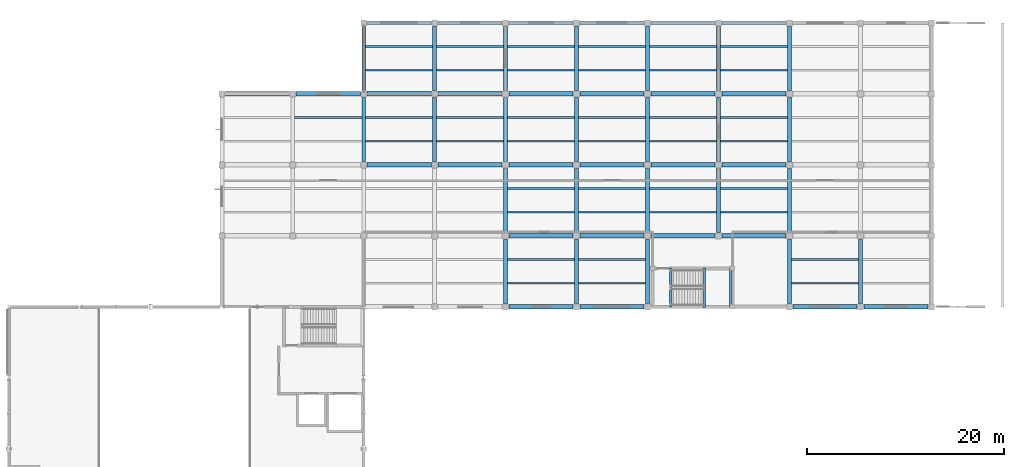
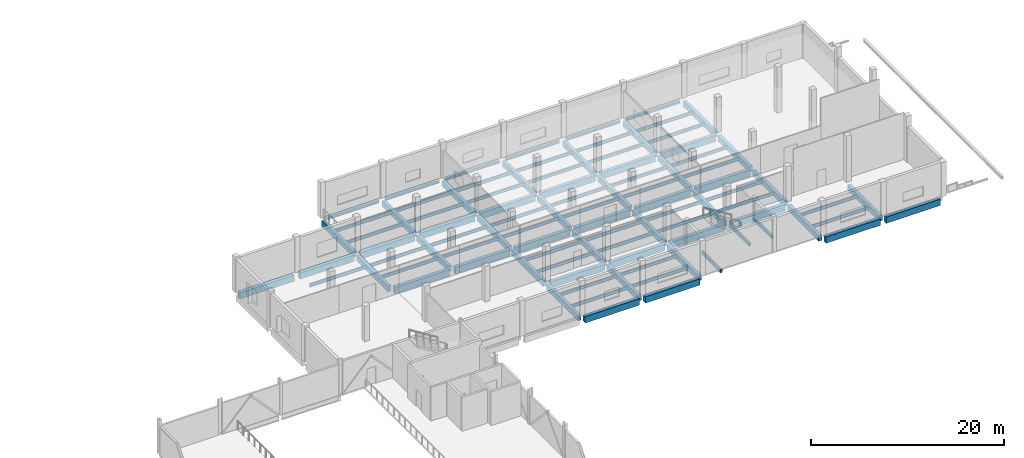
# One storey, part 41 of 105: 94 beams.
"""IFC4 building model written with IfcOpenShell, lengths in metres."""

from ifc_helpers import new_model, si_unit, direction, frame, origin, origin_2d, place, context, subcontext, project, spatial, rectangle, i_section, extrude, material, material_profile, profile_set, type_object, element, save


model = new_model("IFC4")

# Units and contexts
model_context = context("Model", 3, precision=1e-05, world=origin(), true_north=direction((0.0, 1.0)))
body_context = subcontext(model_context, "Body", "Model", "MODEL_VIEW")
ifc_project = project(units=[si_unit("LENGTHUNIT", "METRE"), si_unit("AREAUNIT", "SQUARE_METRE"), si_unit("VOLUMEUNIT", "CUBIC_METRE"), si_unit("PLANEANGLEUNIT", "RADIAN"), si_unit("MASSUNIT", "GRAM", prefix="KILO"), si_unit("THERMODYNAMICTEMPERATUREUNIT", "KELVIN"), si_unit("POWERUNIT", "WATT")], contexts=[model_context])

# Site, building, storey
site_placement = place(None, origin())
site = spatial("IfcSite", under=ifc_project, at=site_placement, CompositionType="ELEMENT")
building_placement = place(site_placement, origin())
building = spatial("IfcBuilding", under=site, at=building_placement, Name="Kaldorven Railside Theatre", CompositionType="ELEMENT")
storey_placement = place(building_placement, frame((0.0, 0.0, 9.89990234375)))
storey = spatial("IfcBuildingStorey", under=building, at=storey_placement, Name="L02", CompositionType="ELEMENT", Elevation=9.89990234375)

# Beams
ifc_material_1 = material(Name="Steel S355", Category="steel")
ifc_material_profile_1 = material_profile(ifc_material_1, i_section(OverallWidth=0.300048828125, OverallDepth=0.340087890625, WebThickness=0.011962890625, FlangeThickness=0.021484375, at=origin_2d()), Name="HEB 340")
ifc_profile_set_1 = profile_set([ifc_material_profile_1], Name="Steel S355")
beam_type_1 = type_object("IfcBeamType", Name="BM-HEB340", PredefinedType="SPANDREL", material=ifc_profile_set_1)
for number, where, z_axis, x_axis, name in (
    (1, (123.550048828125, 141.60009765625, -0.449951171875), (1.0, 0.0, 0.0), (0.0, 1.0, 0.0), "L02 Girder BGX-L02-123-141"),
    (2, (130.75, 141.60009765625, -0.449951171875), (1.0, 0.0, 0.0), (0.0, 1.0, 0.0), "L02 Girder BGX-L02-130-141"),
    (3, (137.949951171875, 141.60009765625, -0.449951171875), (1.0, 0.0, 0.0), (0.0, 1.0, 0.0), "L02 Girder BGX-L02-137-141"),
    (4, (145.14990234375, 141.60009765625, -0.449951171875), (1.0, 0.0, 0.0), (0.0, 1.0, 0.0), "L02 Girder BGX-L02-144-141"),
    (5, (152.35009765625, 141.60009765625, -0.449951171875), (1.0, 0.0, 0.0), (0.0, 1.0, 0.0), "L02 Girder BGX-L02-152-141"),
    (6, (159.550048828125, 141.60009765625, -0.449951171875), (1.0, 0.0, 0.0), (0.0, 1.0, 0.0), "L02 Girder BGX-L02-159-141"),
):
    element("IfcBeam", number, at=place(storey_placement, frame(where, z_axis=z_axis, x_axis=x_axis)), inside=storey, type_object=beam_type_1, Name=name, PredefinedType="SPANDREL", context=body_context, shape_type="SweptSolid", body=[
        extrude(i_section(OverallWidth=0.300048828125, OverallDepth=0.340087890625, WebThickness=0.011962890625, FlangeThickness=0.021484375, at=origin_2d()), origin(), (0.0, 0.0, 1.0), 6.5),
    ])
ifc_material_profile_2 = material_profile(ifc_material_1, i_section(OverallWidth=0.179931640625, OverallDepth=0.39990234375, WebThickness=0.008544921875, FlangeThickness=0.013427734375, at=origin_2d()), Name="IPE 400")
ifc_profile_set_2 = profile_set([ifc_material_profile_2], Name="Steel S355")
beam_type_2 = type_object("IfcBeamType", Name="BM-IPE400", PredefinedType="JOIST", material=ifc_profile_set_2)
for number, where, z_axis, x_axis, name in (
    (7, (137.800048828125, 115.199951171875, -0.47998046875), (1.0, 0.0, 0.0), (0.0, 1.0, 0.0), "L02 Secondary Floor Joist JG-L02-137-1152"),
    (8, (137.800048828125, 117.60009765625, -0.47998046875), (1.0, 0.0, 0.0), (0.0, 1.0, 0.0), "L02 Secondary Floor Joist JG-L02-137-1176"),
    (9, (145.0, 115.199951171875, -0.47998046875), (1.0, 0.0, 0.0), (0.0, 1.0, 0.0), "L02 Secondary Floor Joist JG-L02-144-1152"),
    (10, (145.0, 117.60009765625, -0.47998046875), (1.0, 0.0, 0.0), (0.0, 1.0, 0.0), "L02 Secondary Floor Joist JG-L02-144-1176"),
):
    element("IfcBeam", number, at=place(storey_placement, frame(where, z_axis=z_axis, x_axis=x_axis)), inside=storey, type_object=beam_type_2, Name=name, PredefinedType="JOIST", context=body_context, shape_type="SweptSolid", body=[
        extrude(i_section(OverallWidth=0.179931640625, OverallDepth=0.39990234375, WebThickness=0.008544921875, FlangeThickness=0.013427734375, at=origin_2d()), origin(), (0.0, 0.0, 1.0), 6.800048828125),
    ])
for number, where, z_axis, x_axis, name in (
    (11, (166.60009765625, 115.199951171875, -0.47998046875), (1.0, 0.0, 0.0), (0.0, 1.0, 0.0), "L02 Secondary Floor Joist JG-L02-166-1152"),
    (12, (166.60009765625, 117.60009765625, -0.47998046875), (1.0, 0.0, 0.0), (0.0, 1.0, 0.0), "L02 Secondary Floor Joist JG-L02-166-1176"),
):
    element("IfcBeam", number, at=place(storey_placement, frame(where, z_axis=z_axis, x_axis=x_axis)), inside=storey, type_object=beam_type_2, Name=name, PredefinedType="JOIST", context=body_context, shape_type="SweptSolid", body=[
        extrude(i_section(OverallWidth=0.179931640625, OverallDepth=0.39990234375, WebThickness=0.008544921875, FlangeThickness=0.013427734375, at=origin_2d()), origin(), (0.0, 0.0, 1.0), 6.7998046875),
    ])
for number, where, z_axis, x_axis, name in (
    (13, (137.800048828125, 122.39990234375, -0.47998046875), (1.0, 0.0, 0.0), (0.0, 1.0, 0.0), "L02 Secondary Floor Joist JG-L02-137-1224"),
    (14, (137.800048828125, 124.800048828125, -0.47998046875), (1.0, 0.0, 0.0), (0.0, 1.0, 0.0), "L02 Secondary Floor Joist JG-L02-137-1248"),
    (15, (145.0, 122.39990234375, -0.47998046875), (1.0, 0.0, 0.0), (0.0, 1.0, 0.0), "L02 Secondary Floor Joist JG-L02-144-1224"),
    (16, (145.0, 124.800048828125, -0.47998046875), (1.0, 0.0, 0.0), (0.0, 1.0, 0.0), "L02 Secondary Floor Joist JG-L02-144-1248"),
    (17, (152.199951171875, 122.39990234375, -0.47998046875), (1.0, 0.0, 0.0), (0.0, 1.0, 0.0), "L02 Secondary Floor Joist JG-L02-152-1224"),
    (18, (152.199951171875, 124.800048828125, -0.47998046875), (1.0, 0.0, 0.0), (0.0, 1.0, 0.0), "L02 Secondary Floor Joist JG-L02-152-1248"),
    (19, (159.39990234375, 122.39990234375, -0.47998046875), (1.0, 0.0, 0.0), (0.0, 1.0, 0.0), "L02 Secondary Floor Joist JG-L02-159-1224"),
    (20, (159.39990234375, 124.800048828125, -0.47998046875), (1.0, 0.0, 0.0), (0.0, 1.0, 0.0), "L02 Secondary Floor Joist JG-L02-159-1248"),
    (21, (116.199951171875, 132.0, -0.47998046875), (1.0, 0.0, 0.0), (0.0, 1.0, 0.0), "L02 Secondary Floor Joist JG-L02-116-1320"),
    (22, (123.39990234375, 129.60009765625, -0.47998046875), (1.0, 0.0, 0.0), (0.0, 1.0, 0.0), "L02 Secondary Floor Joist JG-L02-123-1296"),
    (23, (123.39990234375, 132.0, -0.47998046875), (1.0, 0.0, 0.0), (0.0, 1.0, 0.0), "L02 Secondary Floor Joist JG-L02-123-1320"),
):
    element("IfcBeam", number, at=place(storey_placement, frame(where, z_axis=z_axis, x_axis=x_axis)), inside=storey, type_object=beam_type_2, Name=name, PredefinedType="JOIST", context=body_context, shape_type="SweptSolid", body=[
        extrude(i_section(OverallWidth=0.179931640625, OverallDepth=0.39990234375, WebThickness=0.008544921875, FlangeThickness=0.013427734375, at=origin_2d()), origin(), (0.0, 0.0, 1.0), 6.800048828125),
    ])
for number, where, z_axis, x_axis, name in (
    (24, (130.60009765625, 129.60009765625, -0.47998046875), (1.0, 0.0, 0.0), (0.0, 1.0, 0.0), "L02 Secondary Floor Joist JG-L02-130-1296"),
    (25, (130.60009765625, 132.0, -0.47998046875), (1.0, 0.0, 0.0), (0.0, 1.0, 0.0), "L02 Secondary Floor Joist JG-L02-130-1320"),
):
    element("IfcBeam", number, at=place(storey_placement, frame(where, z_axis=z_axis, x_axis=x_axis)), inside=storey, type_object=beam_type_2, Name=name, PredefinedType="JOIST", context=body_context, shape_type="SweptSolid", body=[
        extrude(i_section(OverallWidth=0.179931640625, OverallDepth=0.39990234375, WebThickness=0.008544921875, FlangeThickness=0.013427734375, at=origin_2d()), origin(), (0.0, 0.0, 1.0), 6.7998046875),
    ])
for number, where, z_axis, x_axis, name in (
    (26, (137.800048828125, 129.60009765625, -0.47998046875), (1.0, 0.0, 0.0), (0.0, 1.0, 0.0), "L02 Secondary Floor Joist JG-L02-137-1296"),
    (27, (137.800048828125, 132.0, -0.47998046875), (1.0, 0.0, 0.0), (0.0, 1.0, 0.0), "L02 Secondary Floor Joist JG-L02-137-1320"),
    (28, (145.0, 129.60009765625, -0.47998046875), (1.0, 0.0, 0.0), (0.0, 1.0, 0.0), "L02 Secondary Floor Joist JG-L02-144-1296"),
    (29, (145.0, 132.0, -0.47998046875), (1.0, 0.0, 0.0), (0.0, 1.0, 0.0), "L02 Secondary Floor Joist JG-L02-144-1320"),
    (30, (152.199951171875, 129.60009765625, -0.47998046875), (1.0, 0.0, 0.0), (0.0, 1.0, 0.0), "L02 Secondary Floor Joist JG-L02-152-1296"),
    (31, (152.199951171875, 132.0, -0.47998046875), (1.0, 0.0, 0.0), (0.0, 1.0, 0.0), "L02 Secondary Floor Joist JG-L02-152-1320"),
    (32, (159.39990234375, 129.60009765625, -0.47998046875), (1.0, 0.0, 0.0), (0.0, 1.0, 0.0), "L02 Secondary Floor Joist JG-L02-159-1296"),
    (33, (159.39990234375, 132.0, -0.47998046875), (1.0, 0.0, 0.0), (0.0, 1.0, 0.0), "L02 Secondary Floor Joist JG-L02-159-1320"),
    (34, (123.39990234375, 136.800048828125, -0.47998046875), (1.0, 0.0, 0.0), (0.0, 1.0, 0.0), "L02 Secondary Floor Joist JG-L02-123-1368"),
    (35, (123.39990234375, 139.199951171875, -0.47998046875), (1.0, 0.0, 0.0), (0.0, 1.0, 0.0), "L02 Secondary Floor Joist JG-L02-123-1392"),
):
    element("IfcBeam", number, at=place(storey_placement, frame(where, z_axis=z_axis, x_axis=x_axis)), inside=storey, type_object=beam_type_2, Name=name, PredefinedType="JOIST", context=body_context, shape_type="SweptSolid", body=[
        extrude(i_section(OverallWidth=0.179931640625, OverallDepth=0.39990234375, WebThickness=0.008544921875, FlangeThickness=0.013427734375, at=origin_2d()), origin(), (0.0, 0.0, 1.0), 6.800048828125),
    ])
for number, where, z_axis, x_axis, name in (
    (36, (130.60009765625, 136.800048828125, -0.47998046875), (1.0, 0.0, 0.0), (0.0, 1.0, 0.0), "L02 Secondary Floor Joist JG-L02-130-1368"),
    (37, (130.60009765625, 139.199951171875, -0.47998046875), (1.0, 0.0, 0.0), (0.0, 1.0, 0.0), "L02 Secondary Floor Joist JG-L02-130-1392"),
):
    element("IfcBeam", number, at=place(storey_placement, frame(where, z_axis=z_axis, x_axis=x_axis)), inside=storey, type_object=beam_type_2, Name=name, PredefinedType="JOIST", context=body_context, shape_type="SweptSolid", body=[
        extrude(i_section(OverallWidth=0.179931640625, OverallDepth=0.39990234375, WebThickness=0.008544921875, FlangeThickness=0.013427734375, at=origin_2d()), origin(), (0.0, 0.0, 1.0), 6.7998046875),
    ])
for number, where, z_axis, x_axis, name in (
    (38, (137.800048828125, 136.800048828125, -0.47998046875), (1.0, 0.0, 0.0), (0.0, 1.0, 0.0), "L02 Secondary Floor Joist JG-L02-137-1368"),
    (39, (137.800048828125, 139.199951171875, -0.47998046875), (1.0, 0.0, 0.0), (0.0, 1.0, 0.0), "L02 Secondary Floor Joist JG-L02-137-1392"),
    (40, (145.0, 136.800048828125, -0.47998046875), (1.0, 0.0, 0.0), (0.0, 1.0, 0.0), "L02 Secondary Floor Joist JG-L02-144-1368"),
    (41, (145.0, 139.199951171875, -0.47998046875), (1.0, 0.0, 0.0), (0.0, 1.0, 0.0), "L02 Secondary Floor Joist JG-L02-144-1392"),
    (42, (152.199951171875, 136.800048828125, -0.47998046875), (1.0, 0.0, 0.0), (0.0, 1.0, 0.0), "L02 Secondary Floor Joist JG-L02-152-1368"),
    (43, (152.199951171875, 139.199951171875, -0.47998046875), (1.0, 0.0, 0.0), (0.0, 1.0, 0.0), "L02 Secondary Floor Joist JG-L02-152-1392"),
    (44, (159.39990234375, 136.800048828125, -0.47998046875), (1.0, 0.0, 0.0), (0.0, 1.0, 0.0), "L02 Secondary Floor Joist JG-L02-159-1368"),
    (45, (159.39990234375, 139.199951171875, -0.47998046875), (1.0, 0.0, 0.0), (0.0, 1.0, 0.0), "L02 Secondary Floor Joist JG-L02-159-1392"),
):
    element("IfcBeam", number, at=place(storey_placement, frame(where, z_axis=z_axis, x_axis=x_axis)), inside=storey, type_object=beam_type_2, Name=name, PredefinedType="JOIST", context=body_context, shape_type="SweptSolid", body=[
        extrude(i_section(OverallWidth=0.179931640625, OverallDepth=0.39990234375, WebThickness=0.008544921875, FlangeThickness=0.013427734375, at=origin_2d()), origin(), (0.0, 0.0, 1.0), 6.800048828125),
    ])
ifc_material_2 = material(Name="Concrete C40/50", Category="concrete")
ifc_material_profile_3 = material_profile(ifc_material_2, rectangle(XDim=0.25, YDim=0.39990234375, at=origin_2d()), Name="RC 250x400")
ifc_profile_set_3 = profile_set([ifc_material_profile_3], Name="Concrete C40/50")
beam_type_3 = type_object("IfcBeamType", Name="BM-RC250x400", PredefinedType="LINTEL", material=ifc_profile_set_3)
beam_placement = place(storey_placement, frame((154.35009765625, 112.77001953125, -0.344970703125), z_axis=(0.0, 1.0, 0.0), x_axis=(-1.0, 0.0, 0.0)))
element("IfcBeam", 46, at=beam_placement, inside=storey, type_object=beam_type_3, Name="Stair ST-08 L02 Landing Trimmer Beam", PredefinedType="LINTEL", context=body_context, shape_type="SweptSolid", body=[
    extrude(rectangle(XDim=0.25, YDim=0.39990234375, at=origin_2d()), origin(), (0.0, 0.0, 1.0), 3.9599609375),
])
for number, where, z_axis, x_axis, name in (
    (47, (157.735107421875, 112.739990234375, 1.85009765625), (0.0, 1.0, 0.0), (-1.0, 0.0, 0.0), "Stair ST-08 L02 Half-Landing Bearer"),
    (48, (160.429931640625, 112.739990234375, 1.85009765625), (0.0, 1.0, 0.0), (-1.0, 0.0, 0.0), "Stair ST-08 L02 Half-Landing Bearer"),
):
    element("IfcBeam", number, at=place(storey_placement, frame(where, z_axis=z_axis, x_axis=x_axis)), inside=storey, type_object=beam_type_3, Name=name, PredefinedType="LINTEL", context=body_context, shape_type="SweptSolid", body=[
        extrude(rectangle(XDim=0.25, YDim=0.39990234375, at=origin_2d()), origin(), (0.0, 0.0, 1.0), 4.02001953125),
    ])
ifc_material_profile_4 = material_profile(ifc_material_2, rectangle(XDim=0.39990234375, YDim=0.699951171875, at=origin_2d()), Name="RC 400x700")
ifc_profile_set_4 = profile_set([ifc_material_profile_4], Name="Concrete C40/50")
beam_type_4 = type_object("IfcBeamType", Name="BM-RC400x700", PredefinedType="BEAM", material=ifc_profile_set_4)
for number, where, z_axis, x_axis, name in (
    (49, (137.60009765625, 113.14990234375, -0.6298828125), (0.0, 1.0, 0.0), (-1.0, 0.0, 0.0), "L02 Girder BGY-L02-137-112-72"),
    (50, (144.800048828125, 113.14990234375, -0.6298828125), (0.0, 1.0, 0.0), (-1.0, 0.0, 0.0), "L02 Girder BGY-L02-144-112-72"),
    (51, (152.0, 113.14990234375, -0.6298828125), (0.0, 1.0, 0.0), (-1.0, 0.0, 0.0), "L02 Girder BGY-L02-152-112-72"),
    (52, (166.39990234375, 113.14990234375, -0.6298828125), (0.0, 1.0, 0.0), (-1.0, 0.0, 0.0), "L02 Girder BGY-L02-166-112-72"),
    (53, (173.60009765625, 113.14990234375, -0.6298828125), (0.0, 1.0, 0.0), (-1.0, 0.0, 0.0), "L02 Girder BGY-L02-173-112-72"),
    (54, (137.60009765625, 120.35009765625, -0.6298828125), (0.0, 1.0, 0.0), (-1.0, 0.0, 0.0), "L02 Girder BGY-L02-137-120-72"),
    (55, (144.800048828125, 120.35009765625, -0.6298828125), (0.0, 1.0, 0.0), (-1.0, 0.0, 0.0), "L02 Girder BGY-L02-144-120-72"),
    (56, (152.0, 120.35009765625, -0.6298828125), (0.0, 1.0, 0.0), (-1.0, 0.0, 0.0), "L02 Girder BGY-L02-152-120-72"),
    (57, (159.199951171875, 120.35009765625, -0.6298828125), (0.0, 1.0, 0.0), (-1.0, 0.0, 0.0), "L02 Girder BGY-L02-159-120-72"),
    (58, (166.39990234375, 120.35009765625, -0.6298828125), (0.0, 1.0, 0.0), (-1.0, 0.0, 0.0), "L02 Girder BGY-L02-166-120-72"),
    (59, (123.199951171875, 127.550048828125, -0.6298828125), (0.0, 1.0, 0.0), (-1.0, 0.0, 0.0), "L02 Girder BGY-L02-123-127-72"),
    (60, (130.39990234375, 127.550048828125, -0.6298828125), (0.0, 1.0, 0.0), (-1.0, 0.0, 0.0), "L02 Girder BGY-L02-130-127-72"),
    (61, (137.60009765625, 127.550048828125, -0.6298828125), (0.0, 1.0, 0.0), (-1.0, 0.0, 0.0), "L02 Girder BGY-L02-137-127-72"),
    (62, (144.800048828125, 127.550048828125, -0.6298828125), (0.0, 1.0, 0.0), (-1.0, 0.0, 0.0), "L02 Girder BGY-L02-144-127-72"),
    (63, (152.0, 127.550048828125, -0.6298828125), (0.0, 1.0, 0.0), (-1.0, 0.0, 0.0), "L02 Girder BGY-L02-152-127-72"),
    (64, (159.199951171875, 127.550048828125, -0.6298828125), (0.0, 1.0, 0.0), (-1.0, 0.0, 0.0), "L02 Girder BGY-L02-159-127-72"),
    (65, (166.39990234375, 127.550048828125, -0.6298828125), (0.0, 1.0, 0.0), (-1.0, 0.0, 0.0), "L02 Girder BGY-L02-166-127-72"),
    (66, (123.199951171875, 134.75, -0.6298828125), (0.0, 1.0, 0.0), (-1.0, 0.0, 0.0), "L02 Girder BGY-L02-123-134-72"),
    (67, (130.39990234375, 134.75, -0.6298828125), (0.0, 1.0, 0.0), (-1.0, 0.0, 0.0), "L02 Girder BGY-L02-130-134-72"),
    (68, (137.60009765625, 134.75, -0.6298828125), (0.0, 1.0, 0.0), (-1.0, 0.0, 0.0), "L02 Girder BGY-L02-137-134-72"),
    (69, (144.800048828125, 134.75, -0.6298828125), (0.0, 1.0, 0.0), (-1.0, 0.0, 0.0), "L02 Girder BGY-L02-144-134-72"),
    (70, (152.0, 134.75, -0.6298828125), (0.0, 1.0, 0.0), (-1.0, 0.0, 0.0), "L02 Girder BGY-L02-152-134-72"),
    (71, (159.199951171875, 134.75, -0.6298828125), (0.0, 1.0, 0.0), (-1.0, 0.0, 0.0), "L02 Girder BGY-L02-159-134-72"),
    (72, (166.39990234375, 134.75, -0.6298828125), (0.0, 1.0, 0.0), (-1.0, 0.0, 0.0), "L02 Girder BGY-L02-166-134-72"),
):
    element("IfcBeam", number, at=place(storey_placement, frame(where, z_axis=z_axis, x_axis=x_axis)), inside=storey, type_object=beam_type_4, Name=name, PredefinedType="BEAM", context=body_context, shape_type="SweptSolid", body=[
        extrude(rectangle(XDim=0.39990234375, YDim=0.699951171875, at=origin_2d()), origin(), (0.0, 0.0, 1.0), 6.5),
    ])
ifc_material_profile_5 = material_profile(ifc_material_2, rectangle(XDim=0.449951171875, YDim=0.800048828125, at=origin_2d()), Name="RC 450x800")
ifc_profile_set_5 = profile_set([ifc_material_profile_5], Name="Concrete C40/50")
beam_type_5 = type_object("IfcBeamType", Name="BM-RC450x800", PredefinedType="BEAM", material=ifc_profile_set_5)
for number, where, z_axis, x_axis, name in (
    (73, (137.949951171875, 112.800048828125, -0.679931640625), (1.0, 0.0, 0.0), (0.0, 1.0, 0.0), "L02 Girder BGX-L02-137-112"),
    (74, (145.14990234375, 112.800048828125, -0.679931640625), (1.0, 0.0, 0.0), (0.0, 1.0, 0.0), "L02 Girder BGX-L02-144-112"),
    (75, (166.75, 112.800048828125, -0.679931640625), (1.0, 0.0, 0.0), (0.0, 1.0, 0.0), "L02 Girder BGX-L02-166-112"),
    (76, (173.949951171875, 112.800048828125, -0.679931640625), (1.0, 0.0, 0.0), (0.0, 1.0, 0.0), "L02 Girder BGX-L02-173-112"),
    (77, (137.949951171875, 120.0, -0.679931640625), (1.0, 0.0, 0.0), (0.0, 1.0, 0.0), "L02 Girder BGX-L02-137-120"),
    (78, (145.14990234375, 120.0, -0.679931640625), (1.0, 0.0, 0.0), (0.0, 1.0, 0.0), "L02 Girder BGX-L02-144-120"),
    (79, (152.35009765625, 120.0, -0.679931640625), (1.0, 0.0, 0.0), (0.0, 1.0, 0.0), "L02 Girder BGX-L02-152-120"),
    (80, (159.550048828125, 120.0, -0.679931640625), (1.0, 0.0, 0.0), (0.0, 1.0, 0.0), "L02 Girder BGX-L02-159-120"),
    (81, (123.550048828125, 127.199951171875, -0.679931640625), (1.0, 0.0, 0.0), (0.0, 1.0, 0.0), "L02 Girder BGX-L02-123-127"),
    (82, (130.75, 127.199951171875, -0.679931640625), (1.0, 0.0, 0.0), (0.0, 1.0, 0.0), "L02 Girder BGX-L02-130-127"),
    (83, (137.949951171875, 127.199951171875, -0.679931640625), (1.0, 0.0, 0.0), (0.0, 1.0, 0.0), "L02 Girder BGX-L02-137-127"),
    (84, (145.14990234375, 127.199951171875, -0.679931640625), (1.0, 0.0, 0.0), (0.0, 1.0, 0.0), "L02 Girder BGX-L02-144-127"),
    (85, (152.35009765625, 127.199951171875, -0.679931640625), (1.0, 0.0, 0.0), (0.0, 1.0, 0.0), "L02 Girder BGX-L02-152-127"),
    (86, (159.550048828125, 127.199951171875, -0.679931640625), (1.0, 0.0, 0.0), (0.0, 1.0, 0.0), "L02 Girder BGX-L02-159-127"),
    (87, (109.14990234375, 134.39990234375, -0.679931640625), (1.0, 0.0, 0.0), (0.0, 1.0, 0.0), "L02 Girder BGX-L02-108-134"),
    (88, (116.35009765625, 134.39990234375, -0.679931640625), (1.0, 0.0, 0.0), (0.0, 1.0, 0.0), "L02 Girder BGX-L02-116-134"),
    (89, (123.550048828125, 134.39990234375, -0.679931640625), (1.0, 0.0, 0.0), (0.0, 1.0, 0.0), "L02 Girder BGX-L02-123-134"),
    (90, (130.75, 134.39990234375, -0.679931640625), (1.0, 0.0, 0.0), (0.0, 1.0, 0.0), "L02 Girder BGX-L02-130-134"),
    (91, (137.949951171875, 134.39990234375, -0.679931640625), (1.0, 0.0, 0.0), (0.0, 1.0, 0.0), "L02 Girder BGX-L02-137-134"),
    (92, (145.14990234375, 134.39990234375, -0.679931640625), (1.0, 0.0, 0.0), (0.0, 1.0, 0.0), "L02 Girder BGX-L02-144-134"),
    (93, (152.35009765625, 134.39990234375, -0.679931640625), (1.0, 0.0, 0.0), (0.0, 1.0, 0.0), "L02 Girder BGX-L02-152-134"),
    (94, (159.550048828125, 134.39990234375, -0.679931640625), (1.0, 0.0, 0.0), (0.0, 1.0, 0.0), "L02 Girder BGX-L02-159-134"),
):
    element("IfcBeam", number, at=place(storey_placement, frame(where, z_axis=z_axis, x_axis=x_axis)), inside=storey, type_object=beam_type_5, Name=name, PredefinedType="BEAM", context=body_context, shape_type="SweptSolid", body=[
        extrude(rectangle(XDim=0.449951171875, YDim=0.800048828125, at=origin_2d()), origin(), (0.0, 0.0, 1.0), 6.5),
    ])

save(model, "model.ifc")
